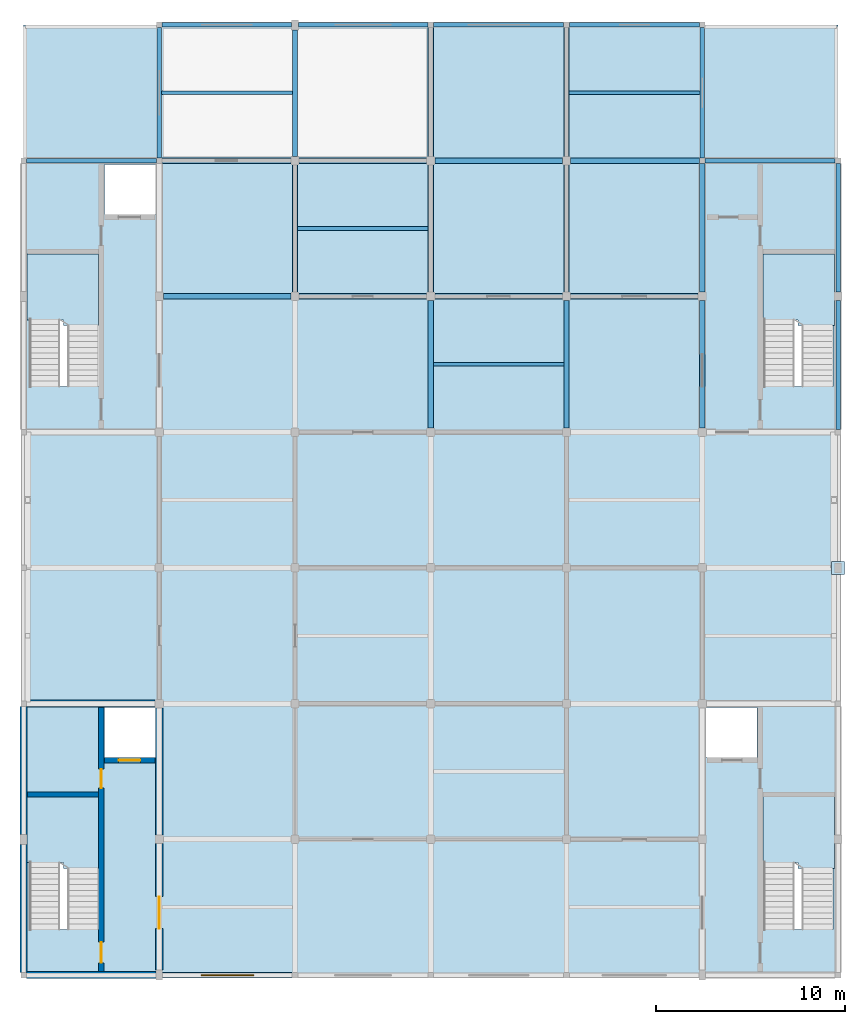
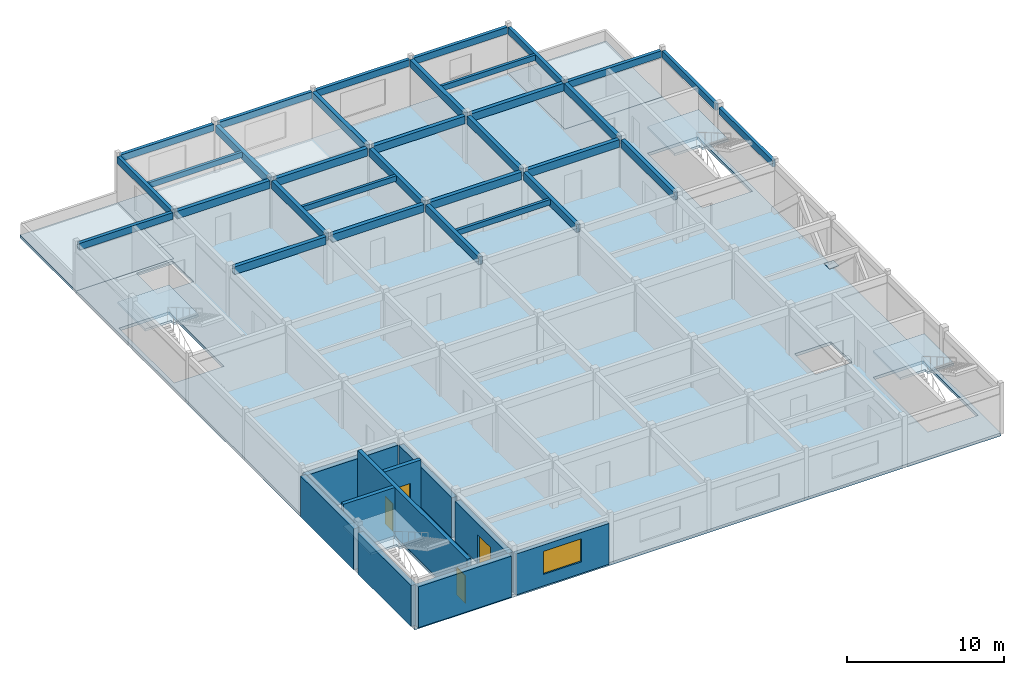
# One storey, part 2 of 6: 32 beams, 10 walls, 7 slabs, 4 doors, 1 plate, 1 window, 5 openings, 4 elements without a shape of their own.
"""IFC4 building model written with IfcOpenShell, lengths in metres."""

from ifc_helpers import new_model, si_unit, direction, frame, frame_2d, origin, origin_2d, place, context, subcontext, project, spatial, polyline, rectangle, outline, extrude, material, layer, layer_set, material_profile, profile_set, type_object, element, fill, aggregate, save


model = new_model("IFC4")

# Units and contexts
model_context = context("Model", 3, precision=1e-05, world=origin(), true_north=direction((0.0, 1.0)))
body_context = subcontext(model_context, "Body", "Model", "MODEL_VIEW")
ifc_project = project(units=[si_unit("LENGTHUNIT", "METRE"), si_unit("AREAUNIT", "SQUARE_METRE"), si_unit("VOLUMEUNIT", "CUBIC_METRE"), si_unit("PLANEANGLEUNIT", "RADIAN"), si_unit("MASSUNIT", "GRAM", prefix="KILO")], contexts=[model_context])

# Site, building, storey
site_placement = place(None, origin())
site = spatial("IfcSite", under=ifc_project, at=site_placement, CompositionType="ELEMENT")
building_placement = place(site_placement, origin())
building = spatial("IfcBuilding", under=site, at=building_placement, Name="Cendaluz Park School", CompositionType="ELEMENT")
storey_placement = place(building_placement, frame((0.0, 0.0, 59.0)))
storey = spatial("IfcBuildingStorey", under=building, at=storey_placement, Name="L14", CompositionType="ELEMENT", Elevation=59.0)

# Beams
ifc_material_1 = material(Name="Glulam GL28h", Category="wood")
ifc_material_profile_1 = material_profile(ifc_material_1, rectangle(XDim=0.280029296875, YDim=0.60009765625, at=origin_2d()), Name="GL28h 280x600", Category="wood")
ifc_profile_set_1 = profile_set([ifc_material_profile_1], Name="Glulam GL28h")
beam_type_1 = type_object("IfcBeamType", Name="BM-GL02", PredefinedType="BEAM", material=ifc_profile_set_1)
beam_1_placement = place(storey_placement, frame((72.219970703125, 50.39990234375, 3.409912109375), z_axis=(1.0, 0.0, 0.0), x_axis=(0.0, 1.0, 0.0)))
element("IfcBeam", 1, at=beam_1_placement, inside=storey, type_object=beam_type_1, Name="BM-L14-BMGL02-0011", PredefinedType="BEAM", context=body_context, shape_type="SweptSolid", body=[
    extrude(rectangle(XDim=0.280029296875, YDim=0.60009765625, at=origin_2d()), origin(), (0.0, 0.0, 1.0), 6.760009765625),
])
beam_2_placement = place(storey_placement, frame((72.14990234375, 57.60009765625, 3.409912109375), z_axis=(1.0, 0.0, 0.0), x_axis=(0.0, 1.0, 0.0)))
element("IfcBeam", 2, at=beam_2_placement, inside=storey, type_object=beam_type_1, Name="BM-L14-BMGL02-0012", PredefinedType="BEAM", context=body_context, shape_type="SweptSolid", body=[
    extrude(rectangle(XDim=0.280029296875, YDim=0.60009765625, at=origin_2d()), origin(), (0.0, 0.0, 1.0), 6.830078125),
])
for number, where, z_axis, x_axis, name in (
    (3, (79.419921875, 50.39990234375, 3.409912109375), (1.0, 0.0, 0.0), (0.0, 1.0, 0.0), "BM-L14-BMGL02-0019"),
    (4, (79.419921875, 57.60009765625, 3.409912109375), (1.0, 0.0, 0.0), (0.0, 1.0, 0.0), "BM-L14-BMGL02-0020"),
):
    element("IfcBeam", number, at=place(storey_placement, frame(where, z_axis=z_axis, x_axis=x_axis)), inside=storey, type_object=beam_type_1, Name=name, PredefinedType="BEAM", context=body_context, shape_type="SweptSolid", body=[
        extrude(rectangle(XDim=0.280029296875, YDim=0.60009765625, at=origin_2d()), origin(), (0.0, 0.0, 1.0), 6.760009765625),
    ])
for number, where, z_axis, x_axis, name in (
    (5, (86.6201171875, 50.39990234375, 3.409912109375), (1.0, 0.0, 0.0), (0.0, 1.0, 0.0), "BM-L14-BMGL02-0027"),
    (6, (86.6201171875, 57.60009765625, 3.409912109375), (1.0, 0.0, 0.0), (0.0, 1.0, 0.0), "BM-L14-BMGL02-0028"),
):
    element("IfcBeam", number, at=place(storey_placement, frame(where, z_axis=z_axis, x_axis=x_axis)), inside=storey, type_object=beam_type_1, Name=name, PredefinedType="BEAM", context=body_context, shape_type="SweptSolid", body=[
        extrude(rectangle(XDim=0.280029296875, YDim=0.60009765625, at=origin_2d()), origin(), (0.0, 0.0, 1.0), 6.759765625),
    ])
beam_3_placement = place(storey_placement, frame((93.820068359375, 50.39990234375, 3.409912109375), z_axis=(1.0, 0.0, 0.0), x_axis=(0.0, 1.0, 0.0)))
element("IfcBeam", 7, at=beam_3_placement, inside=storey, type_object=beam_type_1, Name="BM-L14-BMGL02-0035", PredefinedType="BEAM", context=body_context, shape_type="SweptSolid", body=[
    extrude(rectangle(XDim=0.280029296875, YDim=0.60009765625, at=origin_2d()), origin(), (0.0, 0.0, 1.0), 6.760009765625),
])
beam_4_placement = place(storey_placement, frame((93.820068359375, 57.60009765625, 3.409912109375), z_axis=(1.0, 0.0, 0.0), x_axis=(0.0, 1.0, 0.0)))
element("IfcBeam", 8, at=beam_4_placement, inside=storey, type_object=beam_type_1, Name="BM-L14-BMGL02-0036", PredefinedType="BEAM", context=body_context, shape_type="SweptSolid", body=[
    extrude(rectangle(XDim=0.280029296875, YDim=0.60009765625, at=origin_2d()), origin(), (0.0, 0.0, 1.0), 6.829833984375),
])
beam_5_placement = place(storey_placement, frame((79.199951171875, 50.6201171875, 3.409912109375), z_axis=(0.0, 1.0, 0.0), x_axis=(-1.0, 0.0, 0.0)))
element("IfcBeam", 9, at=beam_5_placement, inside=storey, type_object=beam_type_1, Name="BM-L14-BMGL02-0061", PredefinedType="BEAM", context=body_context, shape_type="SweptSolid", body=[
    extrude(rectangle(XDim=0.280029296875, YDim=0.60009765625, at=origin_2d()), origin(), (0.0, 0.0, 1.0), 6.759765625),
])
beam_6_placement = place(storey_placement, frame((79.199951171875, 57.820068359375, 3.409912109375), z_axis=(0.0, 1.0, 0.0), x_axis=(-1.0, 0.0, 0.0)))
element("IfcBeam", 10, at=beam_6_placement, inside=storey, type_object=beam_type_1, Name="BM-L14-BMGL02-0062", PredefinedType="BEAM", context=body_context, shape_type="SweptSolid", body=[
    extrude(rectangle(XDim=0.280029296875, YDim=0.60009765625, at=origin_2d()), origin(), (0.0, 0.0, 1.0), 6.719970703125),
])
beam_7_placement = place(storey_placement, frame((86.39990234375, 43.419921875, 3.409912109375), z_axis=(0.0, 1.0, 0.0), x_axis=(-1.0, 0.0, 0.0)))
element("IfcBeam", 11, at=beam_7_placement, inside=storey, type_object=beam_type_1, Name="BM-L14-BMGL02-0067", PredefinedType="BEAM", context=body_context, shape_type="SweptSolid", body=[
    extrude(rectangle(XDim=0.280029296875, YDim=0.60009765625, at=origin_2d()), origin(), (0.0, 0.0, 1.0), 6.760009765625),
])
beam_8_placement = place(storey_placement, frame((86.39990234375, 50.6201171875, 3.409912109375), z_axis=(0.0, 1.0, 0.0), x_axis=(-1.0, 0.0, 0.0)))
element("IfcBeam", 12, at=beam_8_placement, inside=storey, type_object=beam_type_1, Name="BM-L14-BMGL02-0068", PredefinedType="BEAM", context=body_context, shape_type="SweptSolid", body=[
    extrude(rectangle(XDim=0.280029296875, YDim=0.60009765625, at=origin_2d()), origin(), (0.0, 0.0, 1.0), 6.759765625),
])
beam_9_placement = place(storey_placement, frame((86.39990234375, 57.820068359375, 3.409912109375), z_axis=(0.0, 1.0, 0.0), x_axis=(-1.0, 0.0, 0.0)))
element("IfcBeam", 13, at=beam_9_placement, inside=storey, type_object=beam_type_1, Name="BM-L14-BMGL02-0069", PredefinedType="BEAM", context=body_context, shape_type="SweptSolid", body=[
    extrude(rectangle(XDim=0.280029296875, YDim=0.60009765625, at=origin_2d()), origin(), (0.0, 0.0, 1.0), 6.829833984375),
])
beam_10_placement = place(storey_placement, frame((93.60009765625, 43.419921875, 3.409912109375), z_axis=(0.0, 1.0, 0.0), x_axis=(-1.0, 0.0, 0.0)))
element("IfcBeam", 14, at=beam_10_placement, inside=storey, type_object=beam_type_1, Name="BM-L14-BMGL02-0074", PredefinedType="BEAM", context=body_context, shape_type="SweptSolid", body=[
    extrude(rectangle(XDim=0.280029296875, YDim=0.60009765625, at=origin_2d()), origin(), (0.0, 0.0, 1.0), 6.760009765625),
])
beam_11_placement = place(storey_placement, frame((93.60009765625, 50.6201171875, 3.409912109375), z_axis=(0.0, 1.0, 0.0), x_axis=(-1.0, 0.0, 0.0)))
element("IfcBeam", 15, at=beam_11_placement, inside=storey, type_object=beam_type_1, Name="BM-L14-BMGL02-0075", PredefinedType="BEAM", context=body_context, shape_type="SweptSolid", body=[
    extrude(rectangle(XDim=0.280029296875, YDim=0.60009765625, at=origin_2d()), origin(), (0.0, 0.0, 1.0), 6.759765625),
])
beam_12_placement = place(storey_placement, frame((93.60009765625, 57.820068359375, 3.409912109375), z_axis=(0.0, 1.0, 0.0), x_axis=(-1.0, 0.0, 0.0)))
element("IfcBeam", 16, at=beam_12_placement, inside=storey, type_object=beam_type_1, Name="BM-L14-BMGL02-0076", PredefinedType="BEAM", context=body_context, shape_type="SweptSolid", body=[
    extrude(rectangle(XDim=0.280029296875, YDim=0.60009765625, at=origin_2d()), origin(), (0.0, 0.0, 1.0), 6.829833984375),
])
beam_13_placement = place(storey_placement, frame((100.800048828125, 43.419921875, 3.409912109375), z_axis=(0.0, 1.0, 0.0), x_axis=(-1.0, 0.0, 0.0)))
element("IfcBeam", 17, at=beam_13_placement, inside=storey, type_object=beam_type_1, Name="BM-L14-BMGL02-0081", PredefinedType="BEAM", context=body_context, shape_type="SweptSolid", body=[
    extrude(rectangle(XDim=0.280029296875, YDim=0.60009765625, at=origin_2d()), origin(), (0.0, 0.0, 1.0), 6.760009765625),
])
beam_14_placement = place(storey_placement, frame((100.800048828125, 50.6201171875, 3.409912109375), z_axis=(0.0, 1.0, 0.0), x_axis=(-1.0, 0.0, 0.0)))
element("IfcBeam", 18, at=beam_14_placement, inside=storey, type_object=beam_type_1, Name="BM-L14-BMGL02-0082", PredefinedType="BEAM", context=body_context, shape_type="SweptSolid", body=[
    extrude(rectangle(XDim=0.280029296875, YDim=0.60009765625, at=origin_2d()), origin(), (0.0, 0.0, 1.0), 6.829833984375),
])
ifc_material_profile_2 = material_profile(ifc_material_1, rectangle(XDim=0.239990234375, YDim=0.52001953125, at=origin_2d()), Name="GL28h 240x520", Category="wood")
ifc_profile_set_2 = profile_set([ifc_material_profile_2], Name="Glulam GL28h")
beam_type_2 = type_object("IfcBeamType", Name="BM-GL03", PredefinedType="SPANDREL", material=ifc_profile_set_2)
beam_15_placement = place(storey_placement, frame((64.949951171875, 57.60009765625, 3.449951171875), z_axis=(1.0, 0.0, 0.0), x_axis=(0.0, 1.0, 0.0)))
element("IfcBeam", 19, at=beam_15_placement, inside=storey, type_object=beam_type_2, Name="BM-L14-BMGL03-0005", PredefinedType="SPANDREL", context=body_context, shape_type="SweptSolid", body=[
    extrude(rectangle(XDim=0.239990234375, YDim=0.52001953125, at=origin_2d()), origin(), (0.0, 0.0, 1.0), 6.900146484375),
])
for number, where, z_axis, x_axis, name in (
    (20, (72.14990234375, 64.800048828125, 3.449951171875), (1.0, 0.0, 0.0), (0.0, 1.0, 0.0), "BM-L14-BMGL03-0013"),
    (21, (79.3798828125, 64.800048828125, 3.449951171875), (1.0, 0.0, 0.0), (0.0, 1.0, 0.0), "BM-L14-BMGL03-0021"),
):
    element("IfcBeam", number, at=place(storey_placement, frame(where, z_axis=z_axis, x_axis=x_axis)), inside=storey, type_object=beam_type_2, Name=name, PredefinedType="SPANDREL", context=body_context, shape_type="SweptSolid", body=[
        extrude(rectangle(XDim=0.239990234375, YDim=0.52001953125, at=origin_2d()), origin(), (0.0, 0.0, 1.0), 6.8701171875),
    ])
for number, where, z_axis, x_axis, name in (
    (22, (86.550048828125, 64.800048828125, 3.449951171875), (1.0, 0.0, 0.0), (0.0, 1.0, 0.0), "BM-L14-BMGL03-0029"),
    (23, (93.75, 64.800048828125, 3.449951171875), (1.0, 0.0, 0.0), (0.0, 1.0, 0.0), "BM-L14-BMGL03-0037"),
):
    element("IfcBeam", number, at=place(storey_placement, frame(where, z_axis=z_axis, x_axis=x_axis)), inside=storey, type_object=beam_type_2, Name=name, PredefinedType="SPANDREL", context=body_context, shape_type="SweptSolid", body=[
        extrude(rectangle(XDim=0.239990234375, YDim=0.52001953125, at=origin_2d()), origin(), (0.0, 0.0, 1.0), 6.89990234375),
    ])
beam_16_placement = place(storey_placement, frame((100.949951171875, 57.60009765625, 3.449951171875), z_axis=(1.0, 0.0, 0.0), x_axis=(0.0, 1.0, 0.0)))
element("IfcBeam", 24, at=beam_16_placement, inside=storey, type_object=beam_type_2, Name="BM-L14-BMGL03-0042", PredefinedType="SPANDREL", context=body_context, shape_type="SweptSolid", body=[
    extrude(rectangle(XDim=0.239990234375, YDim=0.52001953125, at=origin_2d()), origin(), (0.0, 0.0, 1.0), 6.900146484375),
])
for number, where, z_axis, x_axis, name in (
    (25, (72.0, 57.75, 3.449951171875), (0.0, 1.0, 0.0), (-1.0, 0.0, 0.0), "BM-L14-BMGL03-0055"),
    (26, (100.800048828125, 57.75, 3.449951171875), (0.0, 1.0, 0.0), (-1.0, 0.0, 0.0), "BM-L14-BMGL03-0083"),
):
    element("IfcBeam", number, at=place(storey_placement, frame(where, z_axis=z_axis, x_axis=x_axis)), inside=storey, type_object=beam_type_2, Name=name, PredefinedType="SPANDREL", context=body_context, shape_type="SweptSolid", body=[
        extrude(rectangle(XDim=0.239990234375, YDim=0.52001953125, at=origin_2d()), origin(), (0.0, 0.0, 1.0), 6.89990234375),
    ])
for number, where, z_axis, x_axis, name in (
    (27, (108.0, 43.35009765625, 3.449951171875), (0.0, 1.0, 0.0), (-1.0, 0.0, 0.0), "BM-L14-BMGL03-0088"),
    (28, (108.0, 50.6201171875, 3.449951171875), (0.0, 1.0, 0.0), (-1.0, 0.0, 0.0), "BM-L14-BMGL03-0089"),
):
    element("IfcBeam", number, at=place(storey_placement, frame(where, z_axis=z_axis, x_axis=x_axis)), inside=storey, type_object=beam_type_2, Name=name, PredefinedType="SPANDREL", context=body_context, shape_type="SweptSolid", body=[
        extrude(rectangle(XDim=0.239990234375, YDim=0.52001953125, at=origin_2d()), origin(), (0.0, 0.0, 1.0), 6.829833984375),
    ])
ifc_material_profile_3 = material_profile(ifc_material_1, rectangle(XDim=0.199951171875, YDim=0.419921875, at=origin_2d()), Name="GL28h 200x420", Category="wood")
ifc_profile_set_3 = profile_set([ifc_material_profile_3], Name="Glulam GL28h")
beam_type_3 = type_object("IfcBeamType", Name="JT-GL02", PredefinedType="JOIST", material=ifc_profile_set_3)
beam_17_placement = place(storey_placement, frame((72.1201171875, 61.199951171875, 3.5), z_axis=(1.0, 0.0, 0.0), x_axis=(0.0, 1.0, 0.0)))
element("IfcBeam", 29, at=beam_17_placement, inside=storey, type_object=beam_type_3, Name="BM-L14-JTGL02-0092", PredefinedType="JOIST", context=body_context, shape_type="SweptSolid", body=[
    extrude(rectangle(XDim=0.199951171875, YDim=0.419921875, at=origin_2d()), origin(), (0.0, 0.0, 1.0), 6.93994140625),
])
for number, where, z_axis, x_axis, name in (
    (30, (79.340087890625, 54.0, 3.5), (1.0, 0.0, 0.0), (0.0, 1.0, 0.0), "BM-L14-JTGL02-0094"),
    (31, (86.5400390625, 46.800048828125, 3.5), (1.0, 0.0, 0.0), (0.0, 1.0, 0.0), "BM-L14-JTGL02-0096"),
):
    element("IfcBeam", number, at=place(storey_placement, frame(where, z_axis=z_axis, x_axis=x_axis)), inside=storey, type_object=beam_type_3, Name=name, PredefinedType="JOIST", context=body_context, shape_type="SweptSolid", body=[
        extrude(rectangle(XDim=0.199951171875, YDim=0.419921875, at=origin_2d()), origin(), (0.0, 0.0, 1.0), 6.919921875),
    ])
beam_18_placement = place(storey_placement, frame((93.739990234375, 61.199951171875, 3.5), z_axis=(1.0, 0.0, 0.0), x_axis=(0.0, 1.0, 0.0)))
element("IfcBeam", 32, at=beam_18_placement, inside=storey, type_object=beam_type_3, Name="BM-L14-JTGL02-0099", PredefinedType="JOIST", context=body_context, shape_type="SweptSolid", body=[
    extrude(rectangle(XDim=0.199951171875, YDim=0.419921875, at=origin_2d()), origin(), (0.0, 0.0, 1.0), 6.93994140625),
])

# Plate
ifc_material_2 = material(Name="Steel S355", Category="steel")
ifc_layer_1 = layer(ifc_material_2, 0.030029296875)
ifc_layer_set_1 = layer_set([ifc_layer_1], Name="Steel S355")
plate_type = type_object("IfcPlateType", Name="GP-02", PredefinedType="SHEET", material=ifc_layer_set_1)
plate_placement = place(storey_placement, frame((108.0, 36.0, 0.0), z_axis=(0.0, 0.0, 1.0), x_axis=(1.0, 0.0, 0.0)))
element("IfcPlate", 33, at=plate_placement, inside=storey, type_object=plate_type, Name="GP-L14-BF01", PredefinedType="SHEET", context=body_context, shape_type="SweptSolid", body=[
    extrude(rectangle(XDim=0.699951171875, YDim=0.699951171875, at=origin_2d()), origin(), (0.0, 0.0, 1.0), 0.030029296875),
])

# Slab
ifc_material_3 = material(Name="Cross-laminated timber CLT C24", Category="wood")
ifc_layer_2 = layer(ifc_material_3, 0.22998046875)
ifc_layer_set_2 = layer_set([ifc_layer_2], Name="Cross-laminated timber CLT C24")
slab_type_1 = type_object("IfcSlabType", Name="SL-FL-230", PredefinedType="FLOOR", material=ifc_layer_set_2)
slab_1_placement = place(storey_placement, frame((0.0, 0.0, -0.22998046875)))
element("IfcSlab", 34, at=slab_1_placement, inside=storey, type_object=slab_type_1, Name="SL-L14-01", PredefinedType="FLOOR", context=body_context, shape_type="SweptSolid", body=[
    extrude(outline(polyline([(72.0, 57.60009765625), (72.0, 64.800048828125), (100.800048828125, 64.800048828125), (100.800048828125, 57.60009765625), (108.0, 57.60009765625), (108.0, 14.39990234375), (64.800048828125, 14.39990234375), (64.800048828125, 57.60009765625), (72.0, 57.60009765625)]), holes=[polyline([(65.080078125, 16.820068359375), (68.77001953125, 16.820068359375), (68.77001953125, 23.840087890625), (65.080078125, 23.840087890625), (65.080078125, 16.820068359375)]), polyline([(69.10009765625, 28.60009765625), (69.10009765625, 25.93994140625), (71.800048828125, 25.93994140625), (71.800048828125, 28.60009765625), (69.10009765625, 28.60009765625)]), polyline([(107.719970703125, 23.840087890625), (104.030029296875, 23.840087890625), (104.030029296875, 16.820068359375), (107.719970703125, 16.820068359375), (107.719970703125, 23.840087890625)]), polyline([(103.699951171875, 25.93994140625), (103.699951171875, 28.60009765625), (101.0, 28.60009765625), (101.0, 25.93994140625), (103.699951171875, 25.93994140625)]), polyline([(65.080078125, 45.6201171875), (68.77001953125, 45.6201171875), (68.77001953125, 52.639892578125), (65.080078125, 52.639892578125), (65.080078125, 45.6201171875)]), polyline([(69.10009765625, 57.39990234375), (69.10009765625, 54.739990234375), (71.800048828125, 54.739990234375), (71.800048828125, 57.39990234375), (69.10009765625, 57.39990234375)]), polyline([(107.719970703125, 52.639892578125), (104.030029296875, 52.639892578125), (104.030029296875, 45.6201171875), (107.719970703125, 45.6201171875), (107.719970703125, 52.639892578125)])]), origin(), (0.0, 0.0, 1.0), 0.22998046875),
])

# Stair, slab
stair_type = type_object("IfcStairType", Name="ST-400-165", PredefinedType="HALF_TURN_STAIR", material=ifc_material_3)
stair_1_placement = place(storey_placement, origin())
stair_1 = element("IfcStair", 35, at=stair_1_placement, inside=storey, type_object=stair_type, Name="ST-L14-C1", PredefinedType="HALF_TURN_STAIR")
ifc_layer_3 = layer(ifc_material_3, 0.179931640625)
ifc_layer_set_3 = layer_set([ifc_layer_3], Name="Cross-laminated timber CLT C24")
slab_type_2 = type_object("IfcSlabType", Name="SL-LD-180", PredefinedType="LANDING", material=ifc_layer_set_3)
slab_2_placement = place(storey_placement, frame((0.0, 0.0, 1.89990234375)))
slab_2 = element("IfcSlab", 36, at=slab_2_placement, type_object=slab_type_2, Name="SL-LD-L14-C1", PredefinedType="LANDING", context=body_context, shape_type="SweptSolid", body=[
    extrude(outline(polyline([(64.989990234375, 20.360107421875), (66.925048828125, 20.360107421875), (66.925048828125, 20.06005859375), (68.77001953125, 20.06005859375), (68.77001953125, 23.860107421875), (64.989990234375, 23.860107421875), (64.989990234375, 20.360107421875)])), origin(), (0.0, 0.0, 1.0), 0.18017578125),
])
aggregate(stair_1, [slab_2])

stair_2_placement = place(storey_placement, origin())
stair_2 = element("IfcStair", 37, at=stair_2_placement, inside=storey, type_object=stair_type, Name="ST-L14-C2", PredefinedType="HALF_TURN_STAIR")
slab_3_placement = place(storey_placement, frame((0.0, 0.0, 1.89990234375)))
slab_3 = element("IfcSlab", 38, at=slab_3_placement, type_object=slab_type_2, Name="SL-LD-L14-C2", PredefinedType="LANDING", context=body_context, shape_type="SweptSolid", body=[
    extrude(outline(polyline([(104.030029296875, 20.360107421875), (105.875, 20.360107421875), (105.875, 20.06005859375), (107.81005859375, 20.06005859375), (107.81005859375, 23.860107421875), (104.030029296875, 23.860107421875), (104.030029296875, 20.360107421875)])), origin(), (0.0, 0.0, 1.0), 0.18017578125),
])
aggregate(stair_2, [slab_3])

stair_3_placement = place(storey_placement, origin())
stair_3 = element("IfcStair", 39, at=stair_3_placement, inside=storey, type_object=stair_type, Name="ST-L14-C3", PredefinedType="HALF_TURN_STAIR")
slab_4_placement = place(storey_placement, frame((0.0, 0.0, 1.89990234375)))
slab_4 = element("IfcSlab", 40, at=slab_4_placement, type_object=slab_type_2, Name="SL-LD-L14-C3", PredefinedType="LANDING", context=body_context, shape_type="SweptSolid", body=[
    extrude(outline(polyline([(64.989990234375, 49.159912109375), (66.925048828125, 49.159912109375), (66.925048828125, 48.860107421875), (68.77001953125, 48.860107421875), (68.77001953125, 52.659912109375), (64.989990234375, 52.659912109375), (64.989990234375, 49.159912109375)])), origin(), (0.0, 0.0, 1.0), 0.18017578125),
])
aggregate(stair_3, [slab_4])

stair_4_placement = place(storey_placement, origin())
stair_4 = element("IfcStair", 41, at=stair_4_placement, inside=storey, type_object=stair_type, Name="ST-L14-C4", PredefinedType="HALF_TURN_STAIR")
slab_5_placement = place(storey_placement, frame((0.0, 0.0, 1.89990234375)))
slab_5 = element("IfcSlab", 42, at=slab_5_placement, type_object=slab_type_2, Name="SL-LD-L14-C4", PredefinedType="LANDING", context=body_context, shape_type="SweptSolid", body=[
    extrude(outline(polyline([(104.030029296875, 49.159912109375), (105.875, 49.159912109375), (105.875, 48.860107421875), (107.81005859375, 48.860107421875), (107.81005859375, 52.659912109375), (104.030029296875, 52.659912109375), (104.030029296875, 49.159912109375)])), origin(), (0.0, 0.0, 1.0), 0.18017578125),
])
aggregate(stair_4, [slab_5])

# Slabs
ifc_layer_4 = layer(ifc_material_3, 0.219970703125)
ifc_layer_set_4 = layer_set([ifc_layer_4], Name="Cross-laminated timber CLT C24")
slab_type_3 = type_object("IfcSlabType", Name="SL-RF-220-CLT", PredefinedType="ROOF", material=ifc_layer_set_4)
slab_6_placement = place(storey_placement, frame((0.0, 0.0, -0.219970703125)))
element("IfcSlab", 43, at=slab_6_placement, inside=storey, type_object=slab_type_3, Name="SL-RF-L13-02", PredefinedType="ROOF", context=body_context, shape_type="SweptSolid", body=[
    extrude(outline(polyline([(64.800048828125, 57.60009765625), (64.800048828125, 64.800048828125), (72.0, 64.800048828125), (72.0, 57.60009765625), (64.800048828125, 57.60009765625)])), origin(), (0.0, 0.0, 1.0), 0.219970703125),
])
slab_7_placement = place(storey_placement, frame((0.0, 0.0, -0.219970703125)))
element("IfcSlab", 44, at=slab_7_placement, inside=storey, type_object=slab_type_3, Name="SL-RF-L13-03", PredefinedType="ROOF", context=body_context, shape_type="SweptSolid", body=[
    extrude(outline(polyline([(100.800048828125, 57.60009765625), (100.800048828125, 64.800048828125), (108.0, 64.800048828125), (108.0, 57.60009765625), (100.800048828125, 57.60009765625)])), origin(), (0.0, 0.0, 1.0), 0.219970703125),
])

# Wall, opening, window
ifc_layer_5 = layer(ifc_material_3, 0.300048828125)
ifc_layer_set_5 = layer_set([ifc_layer_5], Name="Cross-laminated timber CLT C24")
wall_type_1 = type_object("IfcWallType", Name="W-EX30", PredefinedType="SOLIDWALL", material=ifc_layer_set_5)
wall_1_placement = place(storey_placement, frame((72.179931640625, 14.39990234375, 0.0), z_axis=(0.0, 0.0, 1.0), x_axis=(1.0, 0.0, 0.0)))
wall_1 = element("IfcWall", 45, at=wall_1_placement, inside=storey, type_object=wall_type_1, Name="WL-FO-AA2", PredefinedType="SOLIDWALL", context=body_context, shape_type="SweptSolid", body=[
    extrude(rectangle(XDim=6.8701171875, YDim=0.300048828125, at=frame_2d((3.43505859375, 0.0))), origin(), (0.0, 0.0, 1.0), 3.18994140625),
])
opening_1_placement = place(wall_1_placement, frame((2.034912109375, 0.0, 0.89990234375)))
opening_1 = element("IfcOpeningElement", 46, at=opening_1_placement, cuts=wall_1, Name="Opening WN-06", PredefinedType="OPENING", context=body_context, shape_type="SweptSolid", body=[
    extrude(rectangle(XDim=2.800048828125, YDim=1.800048828125, at=frame_2d((1.39990234375, 0.89990234375))), frame((0.0, 0.162109375, 0.0), z_axis=(0.0, -1.0, 0.0), x_axis=(1.0, 0.0, 0.0)), (0.0, 0.0, 1.0), 0.323974609375),
])
ifc_material_4 = material(Name="Tempered Low-E Double Glazing", Category="glass")
window_type = type_object("IfcWindowType", Name="WN-06", PartitioningType="SINGLE_PANEL", PredefinedType="WINDOW", material=ifc_material_4)
window_placement = place(opening_1_placement, origin())
window = element("IfcWindow", 47, at=window_placement, inside=storey, type_object=window_type, Name="WN-L14-001", OverallHeight=1.800048828125, OverallWidth=2.800048828125, PartitioningType="SINGLE_PANEL", PredefinedType="WINDOW", context=body_context, shape_type="SweptSolid", body=[
    extrude(rectangle(XDim=2.800048828125, YDim=1.800048828125, at=frame_2d((1.39990234375, 0.89990234375))), frame((0.0, 0.030029296875, 0.0), z_axis=(0.0, -1.0, 0.0), x_axis=(1.0, 0.0, 0.0)), (0.0, 0.0, 1.0), 0.06005859375),
])
fill(opening_1, window)

# Wall, openings, doors
ifc_material_5 = material(Name="Concrete C40/50", Category="concrete")
ifc_layer_6 = layer(ifc_material_5, 0.280029296875)
ifc_layer_set_6 = layer_set([ifc_layer_6], Name="Concrete C40/50")
wall_type_2 = type_object("IfcWallType", Name="W-FW28", PredefinedType="SHEAR", material=ifc_layer_set_6)
wall_2_placement = place(storey_placement, frame((68.919921875, 14.60009765625, 0.0), z_axis=(0.0, 0.0, 1.0), x_axis=(0.0, 1.0, 0.0)))
wall_2 = element("IfcWall", 48, at=wall_2_placement, inside=storey, type_object=wall_type_2, Name="WL-FO-BG4", PredefinedType="SHEAR", context=body_context, shape_type="SweptSolid", body=[
    extrude(rectangle(XDim=14.0, YDim=0.280029296875, at=frame_2d((7.0, 0.0))), origin(), (0.0, 0.0, 1.0), 3.760009765625),
])
opening_2_placement = place(wall_2_placement, frame((0.449951171875, 0.0, 0.0)))
opening_2 = element("IfcOpeningElement", 49, at=opening_2_placement, cuts=wall_2, Name="Opening DST-01", PredefinedType="OPENING", context=body_context, shape_type="SweptSolid", body=[
    extrude(rectangle(XDim=1.10009765625, YDim=2.14990234375, at=frame_2d((0.550048828125, 1.074951171875))), frame((0.0, 0.152099609375, 0.0), z_axis=(0.0, -1.0, 0.0), x_axis=(1.0, 0.0, 0.0)), (0.0, 0.0, 1.0), 0.303955078125),
])
opening_3_placement = place(wall_2_placement, frame((9.719970703125, 0.0, 0.0)))
opening_3 = element("IfcOpeningElement", 50, at=opening_3_placement, cuts=wall_2, Name="Opening DFC-01", PredefinedType="OPENING", context=body_context, shape_type="SweptSolid", body=[
    extrude(rectangle(XDim=1.0, YDim=2.14990234375, at=frame_2d((0.5, 1.074951171875))), frame((0.0, 0.152099609375, 0.0), z_axis=(0.0, -1.0, 0.0), x_axis=(1.0, 0.0, 0.0)), (0.0, 0.0, 1.0), 0.303955078125),
])
ifc_material_6 = material(Name="Solid Core Hardwood", Category="wood")
door_type_1 = type_object("IfcDoorType", Name="DFC-01", OperationType="NOTDEFINED", PredefinedType="DOOR", material=ifc_material_6)
door_1_placement = place(opening_3_placement, origin())
door_1 = element("IfcDoor", 51, at=door_1_placement, inside=storey, type_object=door_type_1, Name="D-L14-003", OperationType="SINGLE_SWING_RIGHT", OverallHeight=2.14990234375, OverallWidth=1.0, PredefinedType="DOOR", context=body_context, shape_type="SweptSolid", body=[
    extrude(rectangle(XDim=1.0, YDim=2.14990234375, at=frame_2d((0.5, 1.074951171875))), frame((0.0, 0.02490234375, 0.0), z_axis=(0.0, -1.0, 0.0), x_axis=(1.0, 0.0, 0.0)), (0.0, 0.0, 1.0), 0.050048828125),
])
fill(opening_3, door_1)
door_type_2 = type_object("IfcDoorType", Name="DST-01", OperationType="NOTDEFINED", PredefinedType="DOOR", material=ifc_material_6)
door_2_placement = place(opening_2_placement, origin())
door_2 = element("IfcDoor", 52, at=door_2_placement, inside=storey, type_object=door_type_2, Name="D-L14-002", OperationType="SINGLE_SWING_LEFT", OverallHeight=2.14990234375, OverallWidth=1.10009765625, PredefinedType="DOOR", context=body_context, shape_type="SweptSolid", body=[
    extrude(rectangle(XDim=1.10009765625, YDim=2.14990234375, at=frame_2d((0.550048828125, 1.074951171875))), frame((0.0, 0.02490234375, 0.0), z_axis=(0.0, -1.0, 0.0), x_axis=(1.0, 0.0, 0.0)), (0.0, 0.0, 1.0), 0.050048828125),
])
fill(opening_2, door_2)

# Wall
wall_3_placement = place(storey_placement, frame((65.0, 23.97998046875, 0.0), z_axis=(0.0, 0.0, 1.0), x_axis=(1.0, 0.0, 0.0)))
element("IfcWall", 53, at=wall_3_placement, inside=storey, type_object=wall_type_2, Name="WL-FO-BG5", PredefinedType="SHEAR", context=body_context, shape_type="SweptSolid", body=[
    extrude(rectangle(XDim=3.780029296875, YDim=0.280029296875, at=frame_2d((1.89013671875, 0.0))), origin(), (0.0, 0.0, 1.0), 3.760009765625),
])

# Wall, opening, door
wall_4_placement = place(storey_placement, frame((69.080078125, 25.800048828125, 0.0), z_axis=(0.0, 0.0, 1.0), x_axis=(1.0, 0.0, 0.0)))
wall_4 = element("IfcWall", 54, at=wall_4_placement, inside=storey, type_object=wall_type_2, Name="WL-FO-BG6", PredefinedType="SHEAR", context=body_context, shape_type="SweptSolid", body=[
    extrude(rectangle(XDim=2.679931640625, YDim=0.280029296875, at=frame_2d((1.33984375, 0.0))), origin(), (0.0, 0.0, 1.0), 3.760009765625),
])
opening_4_placement = place(wall_4_placement, frame((0.764892578125, 0.0, 0.0)))
opening_4 = element("IfcOpeningElement", 55, at=opening_4_placement, cuts=wall_4, Name="Opening LD-01", PredefinedType="OPENING", context=body_context, shape_type="SweptSolid", body=[
    extrude(rectangle(XDim=1.14990234375, YDim=2.199951171875, at=frame_2d((0.574951171875, 1.10009765625))), frame((0.0, 0.152099609375, 0.0), z_axis=(0.0, -1.0, 0.0), x_axis=(1.0, 0.0, 0.0)), (0.0, 0.0, 1.0), 0.303955078125),
])
ifc_material_7 = material(Name="Stainless Steel 316L", Category="steel")
door_type_3 = type_object("IfcDoorType", Name="LD-01", OperationType="DOUBLE_DOOR_SLIDING", PredefinedType="DOOR", material=ifc_material_7)
door_3_placement = place(opening_4_placement, frame((1.14990234375, 0.0, 0.0), z_axis=(0.0, 0.0, 1.0), x_axis=(-1.0, 0.0, 0.0)))
door_3 = element("IfcDoor", 56, at=door_3_placement, inside=storey, type_object=door_type_3, Name="D-L14-004", OperationType="DOUBLE_DOOR_SLIDING", OverallHeight=2.199951171875, OverallWidth=1.14990234375, PredefinedType="DOOR", context=body_context, shape_type="SweptSolid", body=[
    extrude(rectangle(XDim=1.14990234375, YDim=2.199951171875, at=frame_2d((0.574951171875, 1.10009765625))), frame((0.0, 0.02490234375, 0.0), z_axis=(0.0, -1.0, 0.0), x_axis=(1.0, 0.0, 0.0)), (0.0, 0.0, 1.0), 0.050048828125),
])
fill(opening_4, door_3)

# Walls
ifc_layer_7 = layer(ifc_material_5, 0.3798828125)
ifc_layer_set_7 = layer_set([ifc_layer_7], Name="Concrete C40/50")
wall_type_3 = type_object("IfcWallType", Name="W-SH38", PredefinedType="SHEAR", material=ifc_layer_set_7)
wall_5_placement = place(storey_placement, frame((64.800048828125, 14.550048828125, 0.0), z_axis=(0.0, 0.0, 1.0), x_axis=(0.0, 1.0, 0.0)))
element("IfcWall", 57, at=wall_5_placement, inside=storey, type_object=wall_type_3, Name="WL-FO-BF8", PredefinedType="SHEAR", context=body_context, shape_type="SweptSolid", body=[
    extrude(rectangle(XDim=6.7900390625, YDim=0.3798828125, at=frame_2d((3.39501953125, 0.0))), origin(), (0.0, 0.0, 1.0), 3.18994140625),
])
wall_6_placement = place(storey_placement, frame((64.800048828125, 21.860107421875, 0.0), z_axis=(0.0, 0.0, 1.0), x_axis=(0.0, 1.0, 0.0)))
element("IfcWall", 58, at=wall_6_placement, inside=storey, type_object=wall_type_3, Name="WL-FO-BF9", PredefinedType="SHEAR", context=body_context, shape_type="SweptSolid", body=[
    extrude(rectangle(XDim=6.789794921875, YDim=0.3798828125, at=frame_2d((3.39501953125, 0.0))), origin(), (0.0, 0.0, 1.0), 3.18994140625),
])

# Wall, opening, door
wall_7_placement = place(storey_placement, frame((72.0, 14.659912109375, 0.0), z_axis=(0.0, 0.0, 1.0), x_axis=(0.0, 1.0, 0.0)))
wall_7 = element("IfcWall", 59, at=wall_7_placement, inside=storey, type_object=wall_type_3, Name="WL-FO-BG0", PredefinedType="SHEAR", context=body_context, shape_type="SweptSolid", body=[
    extrude(rectangle(XDim=6.719970703125, YDim=0.3798828125, at=frame_2d((3.35986328125, 0.0))), origin(), (0.0, 0.0, 1.0), 3.110107421875),
])
opening_5_placement = place(wall_7_placement, frame((2.199951171875, 0.0, 0.0)))
opening_5 = element("IfcOpeningElement", 60, at=opening_5_placement, cuts=wall_7, Name="Opening DLB-02", PredefinedType="OPENING", context=body_context, shape_type="SweptSolid", body=[
    extrude(rectangle(XDim=1.699951171875, YDim=2.25, at=frame_2d((0.85009765625, 1.125))), frame((0.0, 0.201904296875, 0.0), z_axis=(0.0, -1.0, 0.0), x_axis=(1.0, 0.0, 0.0)), (0.0, 0.0, 1.0), 0.40380859375),
])
door_type_4 = type_object("IfcDoorType", Name="DLB-02", OperationType="DOUBLE_DOOR_SINGLE_SWING", PredefinedType="DOOR", material=ifc_material_6)
door_4_placement = place(opening_5_placement, origin())
door_4 = element("IfcDoor", 61, at=door_4_placement, inside=storey, type_object=door_type_4, Name="D-L14-001", OperationType="DOUBLE_DOOR_SINGLE_SWING", OverallHeight=2.25, OverallWidth=1.699951171875, PredefinedType="DOOR", context=body_context, shape_type="SweptSolid", body=[
    extrude(rectangle(XDim=1.699951171875, YDim=2.25, at=frame_2d((0.85009765625, 1.125))), frame((0.0, 0.02490234375, 0.0), z_axis=(0.0, -1.0, 0.0), x_axis=(1.0, 0.0, 0.0)), (0.0, 0.0, 1.0), 0.050048828125),
])
fill(opening_5, door_4)

# Walls
wall_8_placement = place(storey_placement, frame((72.0, 21.820068359375, 0.0), z_axis=(0.0, 0.0, 1.0), x_axis=(0.0, 1.0, 0.0)))
element("IfcWall", 62, at=wall_8_placement, inside=storey, type_object=wall_type_3, Name="WL-FO-BG1", PredefinedType="SHEAR", context=body_context, shape_type="SweptSolid", body=[
    extrude(rectangle(XDim=6.760009765625, YDim=0.3798828125, at=frame_2d((3.3798828125, 0.0))), origin(), (0.0, 0.0, 1.0), 3.110107421875),
])
wall_9_placement = place(storey_placement, frame((64.949951171875, 14.39990234375, 0.0), z_axis=(0.0, 0.0, 1.0), x_axis=(1.0, 0.0, 0.0)))
element("IfcWall", 63, at=wall_9_placement, inside=storey, type_object=wall_type_3, Name="WL-FO-BG2", PredefinedType="SHEAR", context=body_context, shape_type="SweptSolid", body=[
    extrude(rectangle(XDim=6.8701171875, YDim=0.3798828125, at=frame_2d((3.43505859375, 0.0))), origin(), (0.0, 0.0, 1.0), 3.18994140625),
])
wall_10_placement = place(storey_placement, frame((64.949951171875, 28.800048828125, 0.0), z_axis=(0.0, 0.0, 1.0), x_axis=(1.0, 0.0, 0.0)))
element("IfcWall", 64, at=wall_10_placement, inside=storey, type_object=wall_type_3, Name="WL-FO-BG3", PredefinedType="SHEAR", context=body_context, shape_type="SweptSolid", body=[
    extrude(rectangle(XDim=6.830078125, YDim=0.3798828125, at=frame_2d((3.4150390625, 0.0))), origin(), (0.0, 0.0, 1.0), 3.110107421875),
])

save(model, "model.ifc")
